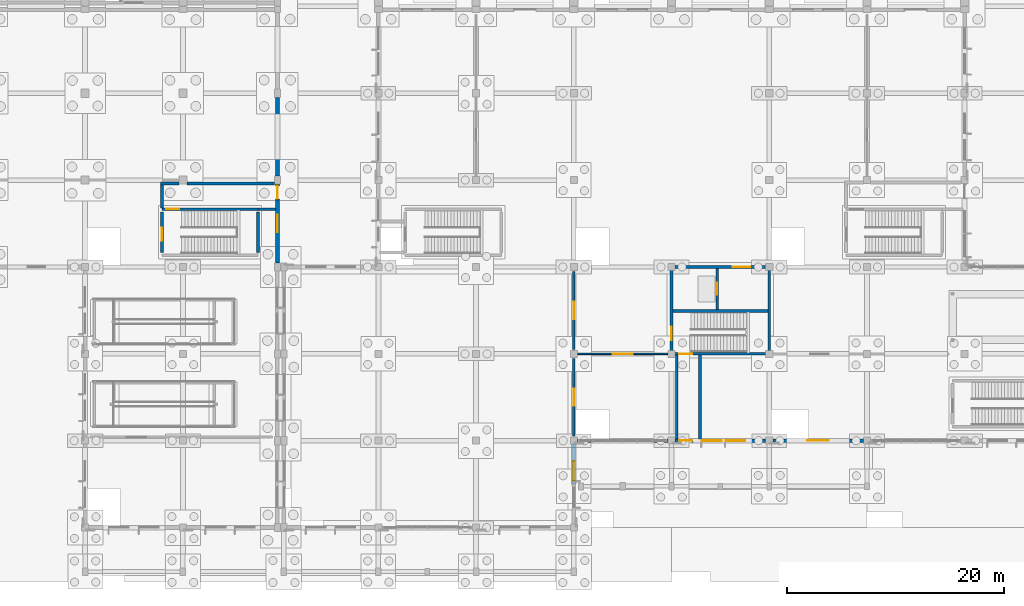
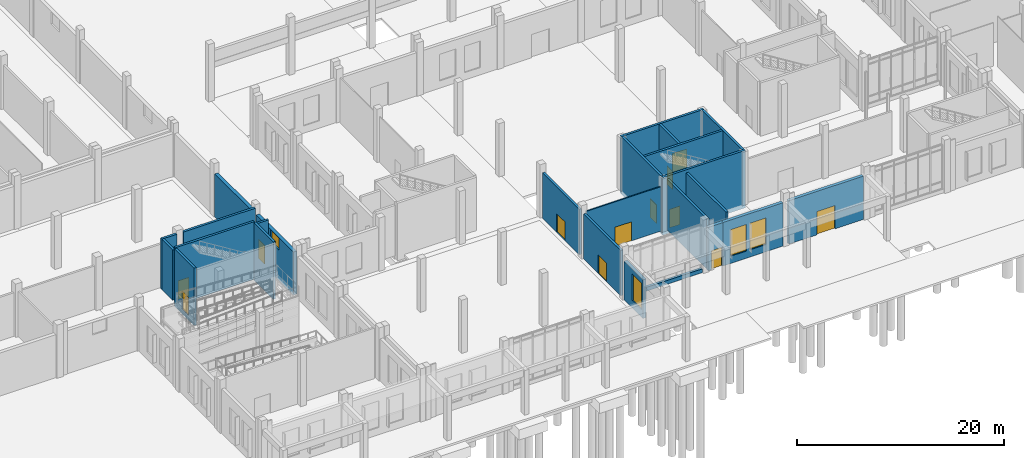
# One storey, part 58 of 99: 26 walls, 12 doors, 4 windows, 16 openings.
"""IFC4 building model written with IfcOpenShell, lengths in metres."""

import ifcopenshell
import ifcopenshell.guid

model = None  # the IFC model being written
_history = None  # IfcOwnerHistory: only IFC2X3 demands one
_inside = {}  # id of a spatial element -> (the spatial element, [elements in it])
_under = {}  # id of a project, library or spatial element -> (it, [spatial elements below it])
_declared = {}  # id of a project -> (the project, [libraries it declares])
_typed = {}  # id of a type object -> (the type object, [elements of that type])
_made_of = {}  # id of a material, layer set ... -> (it, [elements and type objects made of it])


def new_model(schema):
    """Start an empty IFC model of exactly this schema.

    Asked for "IFC4X3", IfcOpenShell would pick the latest addendum, in which some entities
    have other attributes; the version numbers below select the first issue.
    IFC2X3 requires an IfcOwnerHistory on every rooted entity: one is made here for all.
    """
    global model, _history
    if schema == "IFC4X3":
        model = ifcopenshell.file(schema_version=(4, 3, 0, 0))
    else:
        model = ifcopenshell.file(schema=schema)
    _inside.clear()
    _under.clear()
    _declared.clear()
    _typed.clear()
    _made_of.clear()
    _history = None
    if model.schema == "IFC2X3":
        org = make("IfcOrganization", Name="unknown")
        user = make(
            "IfcPersonAndOrganization",
            ThePerson=make("IfcPerson", FamilyName="unknown"),
            TheOrganization=org,
        )
        app = make(
            "IfcApplication",
            ApplicationDeveloper=org,
            Version="unknown",
            ApplicationFullName="unknown",
            ApplicationIdentifier="unknown",
        )
        _history = make(
            "IfcOwnerHistory",
            OwningUser=user,
            OwningApplication=app,
            ChangeAction="ADDED",
            CreationDate=0,
        )
    return model


def make(cls, **values):
    """One entity of the class cls with the attributes given. An attribute that is None is left unset."""
    return model.create_entity(
        cls, **{name: value for name, value in values.items() if value is not None}
    )


def rooted(cls, **values):
    """An entity with a GlobalId (a new one), such as an element, a storey or a relation."""
    return make(cls, GlobalId=ifcopenshell.guid.new(), OwnerHistory=_history, **values)


def si_unit(unit_type, name, prefix=None):
    """IfcSIUnit, for example si_unit("LENGTHUNIT", "METRE", prefix="MILLI")."""
    return make("IfcSIUnit", UnitType=unit_type, Prefix=prefix, Name=name)


def assignment(units):
    """IfcUnitAssignment: the units of a project."""
    return None if units is None else make("IfcUnitAssignment", Units=units)


def point(xyz):
    """IfcCartesianPoint."""
    return None if xyz is None else make("IfcCartesianPoint", Coordinates=xyz)


def direction(xyz):
    """IfcDirection."""
    return None if xyz is None else make("IfcDirection", DirectionRatios=xyz)


def frame(location, z_axis=None, x_axis=None):
    """IfcAxis2Placement3D, a coordinate frame: its origin and axes. An axis left out is left unset."""
    return make(
        "IfcAxis2Placement3D",
        Location=point(location),
        Axis=direction(z_axis),
        RefDirection=direction(x_axis),
    )


def frame_2d(location, x_axis=None):
    """IfcAxis2Placement2D, a coordinate frame in the plane: its origin and x axis."""
    return make(
        "IfcAxis2Placement2D", Location=point(location), RefDirection=direction(x_axis)
    )


def origin():
    """The frame at (0, 0, 0) with its axes left unset."""
    return frame((0.0, 0.0, 0.0))


def place(relative_to, where):
    """IfcLocalPlacement: puts the frame where relative to a parent placement (None: the world)."""
    return make(
        "IfcLocalPlacement", PlacementRelTo=relative_to, RelativePlacement=where
    )


def context(
    kind, dimensions, precision=None, world=None, true_north=None, identifier=None
):
    """IfcGeometricRepresentationContext, for example the 3D "Model" context."""
    return make(
        "IfcGeometricRepresentationContext",
        ContextIdentifier=identifier,
        ContextType=kind,
        CoordinateSpaceDimension=dimensions,
        Precision=precision,
        WorldCoordinateSystem=world,
        TrueNorth=true_north,
    )


def subcontext(parent, identifier, kind, view, scale=None):
    """IfcGeometricRepresentationSubContext, for example "Body" below "Model"."""
    return make(
        "IfcGeometricRepresentationSubContext",
        ContextIdentifier=identifier,
        ContextType=kind,
        ParentContext=parent,
        TargetScale=scale,
        TargetView=view,
    )


def project(units=None, contexts=None):
    """IfcProject with its units and contexts."""
    return rooted(
        "IfcProject",
        Name="project",
        RepresentationContexts=contexts,
        UnitsInContext=assignment(units),
    )


def spatial(cls, under=None, at=None, **own):
    """A site, building, storey or space (cls), placed at a placement, below another one or the project."""
    s = rooted(cls, ObjectPlacement=at, **own)
    if under is not None:
        _under.setdefault(under.id(), (under, []))[1].append(s)
    return s


def profile(cls, at=None, kind="AREA", **sizes):
    """A parametric profile (cls). Its sizes go by their IFC names, for example OverallWidth=200.0."""
    return make(cls, ProfileType=kind, Position=at, **sizes)


def rectangle(**sizes):
    """IfcRectangleProfileDef."""
    return profile("IfcRectangleProfileDef", **sizes)


def extrude(swept, where, along, depth):
    """IfcExtrudedAreaSolid: the profile swept, set in the frame where, extruded along a direction by depth."""
    return make(
        "IfcExtrudedAreaSolid",
        SweptArea=swept,
        Position=where,
        ExtrudedDirection=direction(along),
        Depth=depth,
    )


def shape(context_of_items, identifier, shape_type, items):
    """IfcShapeRepresentation: the items that make up one representation, for example the "Body"."""
    return make(
        "IfcShapeRepresentation",
        ContextOfItems=context_of_items,
        RepresentationIdentifier=identifier,
        RepresentationType=shape_type,
        Items=items,
    )


def material(Name=None, Category=None):
    """IfcMaterial."""
    return make("IfcMaterial", Name=Name, Category=Category)


def layer(
    of_material, thickness, ventilated=None, Name=None, Category=None, Priority=None
):
    """IfcMaterialLayer: one layer of a wall or slab, of a material (None: an air gap)."""
    return make(
        "IfcMaterialLayer",
        Material=of_material,
        LayerThickness=thickness,
        IsVentilated=ventilated,
        Name=Name,
        Category=Category,
        Priority=Priority,
    )


def layer_set(layers, Name=None):
    """IfcMaterialLayerSet."""
    return make("IfcMaterialLayerSet", MaterialLayers=layers, LayerSetName=Name)


def made_of(thing, what):
    """Note that an element or type object is made of a material, layer set ...; save() writes the relation."""
    if what is not None:
        _made_of.setdefault(what.id(), (what, []))[1].append(thing)
    return thing


def type_object(cls, material=None, **own):
    """A type object (cls), such as IfcWallType, which elements share."""
    return made_of(rooted(cls, **own), material)


def element(
    cls,
    number,
    at=None,
    inside=None,
    cuts=None,
    type_object=None,
    material=None,
    context=None,
    identifier="Body",
    shape_type=None,
    held_by="IfcProductDefinitionShape",
    body=None,
    shapes=None,
    **own,
):
    """One element of the class cls, such as IfcWall. Its Tag is "e" and its number.

    at: its placement. inside: the storey or other place that contains it. cuts: it is an
    opening in that element (IfcRelVoidsElement). A single representation is given by context,
    identifier, shape_type and body (its items); several are given by shapes. held_by: the class
    of the entity that holds the representations. save() writes the other relations.
    """
    e = rooted(cls, Tag="e%d" % number, ObjectPlacement=at, **own)
    if body is not None:
        shapes = [shape(context, identifier, shape_type, body)]
    if shapes is not None:
        e.Representation = make(held_by, Representations=shapes)
    if inside is not None:
        _inside.setdefault(inside.id(), (inside, []))[1].append(e)
    if cuts is not None:
        rooted(
            "IfcRelVoidsElement", RelatingBuildingElement=cuts, RelatedOpeningElement=e
        )
    if type_object is not None:
        _typed.setdefault(type_object.id(), (type_object, []))[1].append(e)
    return made_of(e, material)


def fill(opening, filler):
    """IfcRelFillsElement: the door or window that sits in an opening."""
    return rooted(
        "IfcRelFillsElement",
        RelatingOpeningElement=opening,
        RelatedBuildingElement=filler,
    )


def aggregate(whole, parts):
    """IfcRelAggregates: a whole, such as a stair, and the parts it consists of."""
    return rooted("IfcRelAggregates", RelatingObject=whole, RelatedObjects=parts)


def save(model, path):
    """Write the relations noted so far, then the file.

    IfcRelAggregates (storeys below a building ...), IfcRelContainedInSpatialStructure (elements
    in a storey), IfcRelDefinesByType, IfcRelAssociatesMaterial and IfcRelDeclares: one each for
    every whole, place, type object, material and project.
    """
    for whole, parts in _under.values():
        aggregate(whole, parts)
    for where, things in _inside.values():
        rooted(
            "IfcRelContainedInSpatialStructure",
            RelatedElements=things,
            RelatingStructure=where,
        )
    for kind, things in _typed.values():
        rooted("IfcRelDefinesByType", RelatedObjects=things, RelatingType=kind)
    for what, things in _made_of.values():
        rooted("IfcRelAssociatesMaterial", RelatedObjects=things, RelatingMaterial=what)
    for by, libraries in _declared.values():
        rooted("IfcRelDeclares", RelatingContext=by, RelatedDefinitions=libraries)
    model.write(path)


model = new_model("IFC4")

# Units and contexts
model_context = context("Model", 3, precision=1e-05, world=origin(), true_north=direction((0.0, 1.0)))
body_context = subcontext(model_context, "Body", "Model", "MODEL_VIEW")
ifc_project = project(units=[si_unit("LENGTHUNIT", "METRE"), si_unit("AREAUNIT", "SQUARE_METRE"), si_unit("VOLUMEUNIT", "CUBIC_METRE"), si_unit("PLANEANGLEUNIT", "RADIAN"), si_unit("MASSUNIT", "GRAM", prefix="KILO")], contexts=[model_context])

# Site, building, storey
site_placement = place(None, origin())
site = spatial("IfcSite", under=ifc_project, at=site_placement, CompositionType="ELEMENT")
building_placement = place(site_placement, origin())
building = spatial("IfcBuilding", under=site, at=building_placement, Name="Zacnel Wholesale Market", CompositionType="ELEMENT")
storey_placement = place(building_placement, origin())
storey = spatial("IfcBuildingStorey", under=building, at=storey_placement, Name="L01", CompositionType="ELEMENT", Elevation=0.0)

# Wall, opening, door
ifc_material_1 = material(Name="Concrete C40/50", Category="concrete")
ifc_layer_1 = layer(ifc_material_1, 0.2548828125)
ifc_layer_set_1 = layer_set([ifc_layer_1], Name="Concrete C40/50")
wall_type_1 = type_object("IfcWallType", Name="WL-COMP-FW250", PredefinedType="STANDARD", material=ifc_layer_set_1)
wall_1_placement = place(storey_placement, frame((99.0, 8.419921875, 0.0), z_axis=(0.0, 0.0, 1.0), x_axis=(0.0, 1.0, 0.0)))
wall_1 = element("IfcWall", 1, at=wall_1_placement, inside=storey, type_object=wall_type_1, Name="EI-120 fire compartment barrier wall 01", PredefinedType="STANDARD", context=body_context, shape_type="SweptSolid", body=[
    extrude(rectangle(XDim=7.16015625, YDim=0.2548828125, at=frame_2d((3.580078125, 0.0))), origin(), (0.0, 0.0, 1.0), 5.35009765625),
])
opening_1_placement = place(wall_1_placement, frame((2.780029296875, 0.0, 0.0)))
opening_1 = element("IfcOpeningElement", 2, at=opening_1_placement, cuts=wall_1, Name="Opening FD-02", PredefinedType="OPENING", context=body_context, shape_type="SweptSolid", body=[
    extrude(rectangle(XDim=1.60009765625, YDim=2.199951171875, at=frame_2d((0.800048828125, 1.10009765625))), frame((0.0, 0.137451171875, 0.0), z_axis=(0.0, -1.0, 0.0), x_axis=(1.0, 0.0, 0.0)), (0.0, 0.0, 1.0), 0.27490234375),
])
ifc_material_2 = material(Name="Galvanized steel", Category="steel")
door_type_1 = type_object("IfcDoorType", Name="DR-FIRE-LOBBY-1600", OperationType="NOTDEFINED", PredefinedType="DOOR", material=ifc_material_2)
door_1_placement = place(opening_1_placement, origin())
door_1 = element("IfcDoor", 3, at=door_1_placement, inside=storey, type_object=door_type_1, Name="Seafood hall compartment fire door 01", OperationType="DOUBLE_DOOR_SINGLE_SWING", OverallHeight=2.199951171875, OverallWidth=1.60009765625, PredefinedType="DOOR", context=body_context, shape_type="SweptSolid", body=[
    extrude(rectangle(XDim=1.60009765625, YDim=2.199951171875, at=frame_2d((0.800048828125, 1.10009765625))), frame((0.0, 0.02490234375, 0.0), z_axis=(0.0, -1.0, 0.0), x_axis=(1.0, 0.0, 0.0)), (0.0, 0.0, 1.0), 0.050048828125),
])
fill(opening_1, door_1)

wall_2_placement = place(storey_placement, frame((99.0, 16.419921875, 0.0), z_axis=(0.0, 0.0, 1.0), x_axis=(0.0, 1.0, 0.0)))
wall_2 = element("IfcWall", 4, at=wall_2_placement, inside=storey, type_object=wall_type_1, Name="EI-120 fire compartment barrier wall 02", PredefinedType="STANDARD", context=body_context, shape_type="SweptSolid", body=[
    extrude(rectangle(XDim=7.16015625, YDim=0.2548828125, at=frame_2d((3.580078125, 0.0))), origin(), (0.0, 0.0, 1.0), 5.35009765625),
])
opening_2_placement = place(wall_2_placement, frame((2.780029296875, 0.0, 0.0)))
opening_2 = element("IfcOpeningElement", 5, at=opening_2_placement, cuts=wall_2, Name="Opening FD-02", PredefinedType="OPENING", context=body_context, shape_type="SweptSolid", body=[
    extrude(rectangle(XDim=1.60009765625, YDim=2.199951171875, at=frame_2d((0.800048828125, 1.10009765625))), frame((0.0, 0.137451171875, 0.0), z_axis=(0.0, -1.0, 0.0), x_axis=(1.0, 0.0, 0.0)), (0.0, 0.0, 1.0), 0.27490234375),
])
door_2_placement = place(opening_2_placement, origin())
door_2 = element("IfcDoor", 6, at=door_2_placement, inside=storey, type_object=door_type_1, Name="Seafood hall compartment fire door 02", OperationType="DOUBLE_DOOR_SINGLE_SWING", OverallHeight=2.199951171875, OverallWidth=1.60009765625, PredefinedType="DOOR", context=body_context, shape_type="SweptSolid", body=[
    extrude(rectangle(XDim=1.60009765625, YDim=2.199951171875, at=frame_2d((0.800048828125, 1.10009765625))), frame((0.0, 0.02490234375, 0.0), z_axis=(0.0, -1.0, 0.0), x_axis=(1.0, 0.0, 0.0)), (0.0, 0.0, 1.0), 0.050048828125),
])
fill(opening_2, door_2)

# Walls
wall_3_placement = place(storey_placement, frame((61.072509765625, 29.449951171875, 0.0), z_axis=(0.0, 0.0, 1.0), x_axis=(0.0, 1.0, 0.0)))
element("IfcWall", 7, at=wall_3_placement, inside=storey, type_object=wall_type_1, Name="Exit passage ST-23 fire barrier wall 1", PredefinedType="STANDARD", context=body_context, shape_type="SweptSolid", body=[
    extrude(rectangle(XDim=2.10009765625, YDim=0.2548828125, at=frame_2d((1.050048828125, 0.0))), origin(), (0.0, 0.0, 1.0), 5.949951171875),
])
wall_4_placement = place(storey_placement, frame((69.925048828125, 29.322509765625, 0.0), z_axis=(0.0, 0.0, 1.0), x_axis=(1.0, 0.0, 0.0)))
element("IfcWall", 8, at=wall_4_placement, inside=storey, type_object=wall_type_1, Name="Exit passage ST-23 fire barrier wall 2", PredefinedType="STANDARD", context=body_context, shape_type="SweptSolid", body=[
    extrude(rectangle(XDim=1.5849609375, YDim=0.2548828125, at=frame_2d((0.79248046875, 0.0))), origin(), (0.0, 0.0, 1.0), 5.949951171875),
])
wall_5_placement = place(storey_placement, frame((60.945068359375, 31.677490234375, 0.0), z_axis=(0.0, 0.0, 1.0), x_axis=(1.0, 0.0, 0.0)))
element("IfcWall", 9, at=wall_5_placement, inside=storey, type_object=wall_type_1, Name="Exit passage ST-23 fire barrier wall 3", PredefinedType="STANDARD", context=body_context, shape_type="SweptSolid", body=[
    extrude(rectangle(XDim=1.679931640625, YDim=0.2548828125, at=frame_2d((0.83984375, 0.0))), origin(), (0.0, 0.0, 1.0), 5.949951171875),
])
wall_6_placement = place(storey_placement, frame((63.375, 31.677490234375, 0.0), z_axis=(0.0, 0.0, 1.0), x_axis=(1.0, 0.0, 0.0)))
element("IfcWall", 10, at=wall_6_placement, inside=storey, type_object=wall_type_1, Name="Exit passage ST-23 fire barrier wall 4", PredefinedType="STANDARD", context=body_context, shape_type="SweptSolid", body=[
    extrude(rectangle(XDim=8.050048828125, YDim=0.2548828125, at=frame_2d((4.02490234375, 0.0))), origin(), (0.0, 0.0, 1.0), 5.949951171875),
])
for number, where, z_axis, x_axis, name in (
    (11, (108.472412109375, 8.169921875, 0.0), (0.0, 0.0, 1.0), (0.0, 1.0, 0.0), "Exit passage C8 fire barrier wall 1"),
    (12, (110.62744140625, 8.169921875, 0.0), (0.0, 0.0, 1.0), (0.0, 1.0, 0.0), "Exit passage C8 fire barrier wall 2"),
):
    element("IfcWall", number, at=place(storey_placement, frame(where, z_axis=z_axis, x_axis=x_axis)), inside=storey, type_object=wall_type_1, Name=name, PredefinedType="STANDARD", context=body_context, shape_type="SweptSolid", body=[
        extrude(rectangle(XDim=7.705078125, YDim=0.2548828125, at=frame_2d((3.8525390625, 0.0))), origin(), (0.0, 0.0, 1.0), 5.949951171875),
    ])

# Wall, opening, door
ifc_material_3 = material(Name="Concrete C40/50", Category="concrete")
ifc_layer_2 = layer(ifc_material_3, 0.25)
ifc_layer_set_2 = layer_set([ifc_layer_2], Name="Concrete C40/50")
wall_type_2 = type_object("IfcWallType", Name="WL-CORE-SW250", PredefinedType="SOLIDWALL", material=ifc_layer_set_2)
wall_7_placement = place(storey_placement, frame((117.125, 16.0, -0.5), z_axis=(0.0, 0.0, 1.0), x_axis=(-1.0, 0.0, 0.0)))
wall_7 = element("IfcWall", 13, at=wall_7_placement, inside=storey, type_object=wall_type_2, Name="Core C8 south shear wall L01", PredefinedType="SOLIDWALL", context=body_context, shape_type="SweptSolid", body=[
    extrude(rectangle(XDim=9.25, YDim=0.25, at=frame_2d((4.625, 0.0))), origin(), (0.0, 0.0, 1.0), 6.800048828125),
])
opening_3_placement = place(wall_7_placement, frame((7.22509765625, 0.0, 0.5)))
opening_3 = element("IfcOpeningElement", 14, at=opening_3_placement, cuts=wall_7, Name="Opening FD-01", PredefinedType="OPENING", context=body_context, shape_type="SweptSolid", body=[
    extrude(rectangle(XDim=1.199951171875, YDim=2.199951171875, at=frame_2d((0.60009765625, 1.10009765625))), frame((0.0, 0.135009765625, 0.0), z_axis=(0.0, -1.0, 0.0), x_axis=(1.0, 0.0, 0.0)), (0.0, 0.0, 1.0), 0.27001953125),
])
ifc_material_4 = material(Name="Galvanized steel", Category="steel")
door_type_2 = type_object("IfcDoorType", Name="DR-FIRE-STAIR-1200", OperationType="NOTDEFINED", PredefinedType="DOOR", material=ifc_material_4)
door_3_placement = place(opening_3_placement, origin())
door_3 = element("IfcDoor", 15, at=door_3_placement, inside=storey, type_object=door_type_2, Name="Protected stair exit passage fire door C8 L01", OperationType="SINGLE_SWING_LEFT", OverallHeight=2.199951171875, OverallWidth=1.199951171875, PredefinedType="DOOR", context=body_context, shape_type="SweptSolid", body=[
    extrude(rectangle(XDim=1.199951171875, YDim=2.199951171875, at=frame_2d((0.60009765625, 1.10009765625))), frame((0.0, 0.02490234375, 0.0), z_axis=(0.0, -1.0, 0.0), x_axis=(1.0, 0.0, 0.0)), (0.0, 0.0, 1.0), 0.050048828125),
])
fill(opening_3, door_3)

wall_8_placement = place(storey_placement, frame((107.875, 24.0, -0.5), z_axis=(0.0, 0.0, 1.0), x_axis=(1.0, 0.0, 0.0)))
wall_8 = element("IfcWall", 16, at=wall_8_placement, inside=storey, type_object=wall_type_2, Name="Core C8 north shear wall L01", PredefinedType="SOLIDWALL", context=body_context, shape_type="SweptSolid", body=[
    extrude(rectangle(XDim=9.25, YDim=0.25, at=frame_2d((4.625, 0.0))), origin(), (0.0, 0.0, 1.0), 6.800048828125),
])
opening_4_placement = place(wall_8_placement, frame((5.77490234375, 0.0, 0.5)))
opening_4 = element("IfcOpeningElement", 17, at=opening_4_placement, cuts=wall_8, Name="Opening FD-02", PredefinedType="OPENING", context=body_context, shape_type="SweptSolid", body=[
    extrude(rectangle(XDim=1.60009765625, YDim=2.199951171875, at=frame_2d((0.800048828125, 1.10009765625))), frame((0.0, 0.135009765625, 0.0), z_axis=(0.0, -1.0, 0.0), x_axis=(1.0, 0.0, 0.0)), (0.0, 0.0, 1.0), 0.27001953125),
])
door_4_placement = place(opening_4_placement, origin())
door_4 = element("IfcDoor", 18, at=door_4_placement, inside=storey, type_object=door_type_1, Name="Core lift lobby fire door C8 L01", OperationType="SINGLE_SWING_RIGHT", OverallHeight=2.199951171875, OverallWidth=1.60009765625, PredefinedType="DOOR", context=body_context, shape_type="SweptSolid", body=[
    extrude(rectangle(XDim=1.60009765625, YDim=2.199951171875, at=frame_2d((0.800048828125, 1.10009765625))), frame((0.0, 0.02490234375, 0.0), z_axis=(0.0, -1.0, 0.0), x_axis=(1.0, 0.0, 0.0)), (0.0, 0.0, 1.0), 0.050048828125),
])
fill(opening_4, door_4)

wall_9_placement = place(storey_placement, frame((108.0, 16.125, -0.5), z_axis=(0.0, 0.0, 1.0), x_axis=(0.0, 1.0, 0.0)))
wall_9 = element("IfcWall", 19, at=wall_9_placement, inside=storey, type_object=wall_type_2, Name="Core C8 west shear wall L01", PredefinedType="SOLIDWALL", context=body_context, shape_type="SweptSolid", body=[
    extrude(rectangle(XDim=7.75, YDim=0.25, at=frame_2d((3.875, 0.0))), origin(), (0.0, 0.0, 1.0), 6.800048828125),
])
opening_5_placement = place(wall_9_placement, frame((1.14990234375, 0.0, 0.5)))
opening_5 = element("IfcOpeningElement", 20, at=opening_5_placement, cuts=wall_9, Name="Opening FD-01", PredefinedType="OPENING", context=body_context, shape_type="SweptSolid", body=[
    extrude(rectangle(XDim=1.199951171875, YDim=2.199951171875, at=frame_2d((0.60009765625, 1.10009765625))), frame((0.0, 0.135009765625, 0.0), z_axis=(0.0, -1.0, 0.0), x_axis=(1.0, 0.0, 0.0)), (0.0, 0.0, 1.0), 0.27001953125),
])
door_5_placement = place(opening_5_placement, origin())
door_5 = element("IfcDoor", 21, at=door_5_placement, inside=storey, type_object=door_type_2, Name="Protected stair fire door C8 L01", OperationType="SINGLE_SWING_LEFT", OverallHeight=2.199951171875, OverallWidth=1.199951171875, PredefinedType="DOOR", context=body_context, shape_type="SweptSolid", body=[
    extrude(rectangle(XDim=1.199951171875, YDim=2.199951171875, at=frame_2d((0.60009765625, 1.10009765625))), frame((0.0, 0.02490234375, 0.0), z_axis=(0.0, -1.0, 0.0), x_axis=(1.0, 0.0, 0.0)), (0.0, 0.0, 1.0), 0.050048828125),
])
fill(opening_5, door_5)

# Walls
wall_10_placement = place(storey_placement, frame((117.0, 16.125, -0.5), z_axis=(0.0, 0.0, 1.0), x_axis=(0.0, 1.0, 0.0)))
element("IfcWall", 22, at=wall_10_placement, inside=storey, type_object=wall_type_2, Name="Core C8 east shear wall L01", PredefinedType="SOLIDWALL", context=body_context, shape_type="SweptSolid", body=[
    extrude(rectangle(XDim=7.75, YDim=0.25, at=frame_2d((3.875, 0.0))), origin(), (0.0, 0.0, 1.0), 6.800048828125),
])
wall_11_placement = place(storey_placement, frame((108.125, 19.949951171875, -0.5), z_axis=(0.0, 0.0, 1.0), x_axis=(1.0, 0.0, 0.0)))
element("IfcWall", 23, at=wall_11_placement, inside=storey, type_object=wall_type_2, Name="Core C8 stair-shaft shear wall L01", PredefinedType="SOLIDWALL", context=body_context, shape_type="SweptSolid", body=[
    extrude(rectangle(XDim=8.75, YDim=0.25, at=frame_2d((4.375, 0.0))), origin(), (0.0, 0.0, 1.0), 6.800048828125),
])

# Wall, opening, door
wall_12_placement = place(storey_placement, frame((112.199951171875, 20.074951171875, -0.5), z_axis=(0.0, 0.0, 1.0), x_axis=(0.0, 1.0, 0.0)))
wall_12 = element("IfcWall", 24, at=wall_12_placement, inside=storey, type_object=wall_type_2, Name="Core C8 lift shaft front wall L01", PredefinedType="SOLIDWALL", context=body_context, shape_type="SweptSolid", body=[
    extrude(rectangle(XDim=3.800048828125, YDim=0.25, at=frame_2d((1.89990234375, 0.0))), origin(), (0.0, 0.0, 1.0), 6.800048828125),
])
opening_6_placement = place(wall_12_placement, frame((1.35009765625, 0.0, 0.5)))
opening_6 = element("IfcOpeningElement", 25, at=opening_6_placement, cuts=wall_12, Name="Opening LD-01", PredefinedType="OPENING", context=body_context, shape_type="SweptSolid", body=[
    extrude(rectangle(XDim=1.10009765625, YDim=2.199951171875, at=frame_2d((0.550048828125, 1.10009765625))), frame((0.0, 0.135009765625, 0.0), z_axis=(0.0, -1.0, 0.0), x_axis=(1.0, 0.0, 0.0)), (0.0, 0.0, 1.0), 0.27001953125),
])
ifc_material_5 = material(Name="Galvanized steel", Category="steel")
door_type_3 = type_object("IfcDoorType", Name="DR-LIFT-PASS-1100", OperationType="NOTDEFINED", PredefinedType="DOOR", material=ifc_material_5)
door_6_placement = place(opening_6_placement, origin())
door_6 = element("IfcDoor", 26, at=door_6_placement, inside=storey, type_object=door_type_3, Name="Lift landing door LP-04 L01", OperationType="SLIDING_TO_LEFT", OverallHeight=2.199951171875, OverallWidth=1.10009765625, PredefinedType="DOOR", context=body_context, shape_type="SweptSolid", body=[
    extrude(rectangle(XDim=1.10009765625, YDim=2.199951171875, at=frame_2d((0.550048828125, 1.10009765625))), frame((0.0, 0.02490234375, 0.0), z_axis=(0.0, -1.0, 0.0), x_axis=(1.0, 0.0, 0.0)), (0.0, 0.0, 1.0), 0.050048828125),
])
fill(opening_6, door_6)

wall_13_placement = place(storey_placement, frame((61.074951171875, 29.324951171875, -0.5), z_axis=(0.0, 0.0, 1.0), x_axis=(1.0, 0.0, 0.0)))
wall_13 = element("IfcWall", 27, at=wall_13_placement, inside=storey, type_object=wall_type_2, Name="Stair ST-23 north enclosure wall L01", PredefinedType="SOLIDWALL", context=body_context, shape_type="SweptSolid", body=[
    extrude(rectangle(XDim=8.85009765625, YDim=0.25, at=frame_2d((4.425048828125, 0.0))), origin(), (0.0, 0.0, 1.0), 6.800048828125),
])
opening_7_placement = place(wall_13_placement, frame((0.375, 0.0, 0.5)))
opening_7 = element("IfcOpeningElement", 28, at=opening_7_placement, cuts=wall_13, Name="Opening FD-01", PredefinedType="OPENING", context=body_context, shape_type="SweptSolid", body=[
    extrude(rectangle(XDim=1.199951171875, YDim=2.199951171875, at=frame_2d((0.60009765625, 1.10009765625))), frame((0.0, 0.135009765625, 0.0), z_axis=(0.0, -1.0, 0.0), x_axis=(1.0, 0.0, 0.0)), (0.0, 0.0, 1.0), 0.27001953125),
])
door_7_placement = place(opening_7_placement, origin())
door_7 = element("IfcDoor", 29, at=door_7_placement, inside=storey, type_object=door_type_2, Name="Stair ST-23 exit passage fire door L01", OperationType="SINGLE_SWING_LEFT", OverallHeight=2.199951171875, OverallWidth=1.199951171875, PredefinedType="DOOR", context=body_context, shape_type="SweptSolid", body=[
    extrude(rectangle(XDim=1.199951171875, YDim=2.199951171875, at=frame_2d((0.60009765625, 1.10009765625))), frame((0.0, 0.02490234375, 0.0), z_axis=(0.0, -1.0, 0.0), x_axis=(1.0, 0.0, 0.0)), (0.0, 0.0, 1.0), 0.050048828125),
])
fill(opening_7, door_7)

wall_14_placement = place(storey_placement, frame((61.074951171875, 25.324951171875, -0.5), z_axis=(0.0, 0.0, 1.0), x_axis=(0.0, 1.0, 0.0)))
wall_14 = element("IfcWall", 30, at=wall_14_placement, inside=storey, type_object=wall_type_2, Name="Stair ST-23 west enclosure wall L01", PredefinedType="SOLIDWALL", context=body_context, shape_type="SweptSolid", body=[
    extrude(rectangle(XDim=3.75, YDim=0.25, at=frame_2d((1.875, 0.0))), origin(), (0.0, 0.0, 1.0), 6.800048828125),
])
opening_8_placement = place(wall_14_placement, frame((1.10009765625, 0.0, 0.5)))
opening_8 = element("IfcOpeningElement", 31, at=opening_8_placement, cuts=wall_14, Name="Opening FD-01", PredefinedType="OPENING", context=body_context, shape_type="SweptSolid", body=[
    extrude(rectangle(XDim=1.199951171875, YDim=2.199951171875, at=frame_2d((0.60009765625, 1.10009765625))), frame((0.0, 0.135009765625, 0.0), z_axis=(0.0, -1.0, 0.0), x_axis=(1.0, 0.0, 0.0)), (0.0, 0.0, 1.0), 0.27001953125),
])
door_8_placement = place(opening_8_placement, origin())
door_8 = element("IfcDoor", 32, at=door_8_placement, inside=storey, type_object=door_type_2, Name="Stair ST-23 fire door L01", OperationType="SINGLE_SWING_LEFT", OverallHeight=2.199951171875, OverallWidth=1.199951171875, PredefinedType="DOOR", context=body_context, shape_type="SweptSolid", body=[
    extrude(rectangle(XDim=1.199951171875, YDim=2.199951171875, at=frame_2d((0.60009765625, 1.10009765625))), frame((0.0, 0.02490234375, 0.0), z_axis=(0.0, -1.0, 0.0), x_axis=(1.0, 0.0, 0.0)), (0.0, 0.0, 1.0), 0.050048828125),
])
fill(opening_8, door_8)

# Wall
wall_15_placement = place(storey_placement, frame((69.925048828125, 25.324951171875, -0.5), z_axis=(0.0, 0.0, 1.0), x_axis=(0.0, 1.0, 0.0)))
element("IfcWall", 33, at=wall_15_placement, inside=storey, type_object=wall_type_2, Name="Stair ST-23 east enclosure wall L01", PredefinedType="SOLIDWALL", context=body_context, shape_type="SweptSolid", body=[
    extrude(rectangle(XDim=3.75, YDim=0.25, at=frame_2d((1.875, 0.0))), origin(), (0.0, 0.0, 1.0), 6.800048828125),
])

# Wall, opening, window
ifc_material_6 = material(Name="Precast concrete C40/50 (insulated sandwich panel)", Category="concrete")
ifc_layer_3 = layer(ifc_material_6, 0.3798828125)
ifc_layer_set_3 = layer_set([ifc_layer_3], Name="Precast concrete C40/50 (insulated sandwich panel)")
wall_type_3 = type_object("IfcWallType", Name="WL-EXT-COLD-380", PredefinedType="SOLIDWALL", material=ifc_layer_set_3)
wall_16_placement = place(storey_placement, frame((71.699951171875, 24.375, 0.0), z_axis=(0.0, 0.0, 1.0), x_axis=(0.0, 1.0, 0.0)))
wall_16 = element("IfcWall", 34, at=wall_16_placement, inside=storey, type_object=wall_type_3, Name="Exterior wall L01-0032", PredefinedType="SOLIDWALL", context=body_context, shape_type="SweptSolid", body=[
    extrude(rectangle(XDim=5.800048828125, YDim=0.3798828125, at=frame_2d((2.89990234375, 0.0))), origin(), (0.0, 0.0, 1.0), 5.080078125),
])
opening_9_placement = place(wall_16_placement, frame((2.824951171875, 0.0, 3.590087890625)))
opening_9 = element("IfcOpeningElement", 35, at=opening_9_placement, cuts=wall_16, Name="Opening W-06", PredefinedType="OPENING", context=body_context, shape_type="SweptSolid", body=[
    extrude(rectangle(XDim=1.60009765625, YDim=1.449951171875, at=frame_2d((0.800048828125, 0.72509765625))), frame((0.0, 0.199951171875, 0.0), z_axis=(0.0, -1.0, 0.0), x_axis=(1.0, 0.0, 0.0)), (0.0, 0.0, 1.0), 0.39990234375),
])
ifc_material_7 = material(Name="Laminated hurricane-impact low-E insulated glass", Category="glass")
window_type_1 = type_object("IfcWindowType", Name="WIN-HIG-1600X1450", PartitioningType="DOUBLE_PANEL_HORIZONTAL", PredefinedType="WINDOW", material=ifc_material_7)
window_1_placement = place(opening_9_placement, origin())
window_1 = element("IfcWindow", 36, at=window_1_placement, inside=storey, type_object=window_type_1, Name="Window L01-0021", OverallHeight=1.449951171875, OverallWidth=1.60009765625, PartitioningType="DOUBLE_PANEL_HORIZONTAL", PredefinedType="WINDOW", context=body_context, shape_type="SweptSolid", body=[
    extrude(rectangle(XDim=1.60009765625, YDim=1.449951171875, at=frame_2d((0.800048828125, 0.72509765625))), frame((0.0, 0.030029296875, 0.0), z_axis=(0.0, -1.0, 0.0), x_axis=(1.0, 0.0, 0.0)), (0.0, 0.0, 1.0), 0.06005859375),
])
fill(opening_9, window_1)

# Wall
wall_17_placement = place(storey_placement, frame((71.699951171875, 32.375, 0.0), z_axis=(0.0, 0.0, 1.0), x_axis=(0.0, 1.0, 0.0)))
element("IfcWall", 37, at=wall_17_placement, inside=storey, type_object=wall_type_3, Name="Exterior wall L01-0033", PredefinedType="SOLIDWALL", context=body_context, shape_type="SweptSolid", body=[
    extrude(rectangle(XDim=7.25, YDim=0.3798828125, at=frame_2d((3.625, 0.0))), origin(), (0.0, 0.0, 1.0), 5.080078125),
])

# Wall, opening, door
wall_18_placement = place(storey_placement, frame((71.699951171875, 31.625, 0.0), z_axis=(0.0, 0.0, 1.0), x_axis=(0.0, -1.0, 0.0)))
wall_18 = element("IfcWall", 38, at=wall_18_placement, inside=storey, type_object=wall_type_3, Name="Exterior wall L01-0032 part 2", PredefinedType="SOLIDWALL", context=body_context, shape_type="SweptSolid", body=[
    extrude(rectangle(XDim=1.449951171875, YDim=0.3798828125, at=frame_2d((0.72509765625, 0.0))), origin(), (0.0, 0.0, 1.0), 5.080078125),
])
opening_10_placement = place(wall_18_placement, frame((0.14990234375, 0.0, 0.0)))
opening_10 = element("IfcOpeningElement", 39, at=opening_10_placement, cuts=wall_18, Name="Opening ED-04", PredefinedType="OPENING", context=body_context, shape_type="SweptSolid", body=[
    extrude(rectangle(XDim=1.199951171875, YDim=2.25, at=frame_2d((0.60009765625, 1.125))), frame((0.0, 0.199951171875, 0.0), z_axis=(0.0, -1.0, 0.0), x_axis=(1.0, 0.0, 0.0)), (0.0, 0.0, 1.0), 0.39990234375),
])
ifc_material_8 = material(Name="Galvanized steel S355", Category="steel")
door_type_4 = type_object("IfcDoorType", Name="DR-EXT-EXIT-1200", OperationType="NOTDEFINED", PredefinedType="DOOR", material=ifc_material_8)
door_9_placement = place(opening_10_placement, origin())
door_9 = element("IfcDoor", 40, at=door_9_placement, inside=storey, type_object=door_type_4, Name="Final exit door ST-23 to the east", OperationType="SINGLE_SWING_LEFT", OverallHeight=2.25, OverallWidth=1.199951171875, PredefinedType="DOOR", context=body_context, shape_type="SweptSolid", body=[
    extrude(rectangle(XDim=1.199951171875, YDim=2.25, at=frame_2d((0.60009765625, 1.125))), frame((0.0, 0.02490234375, 0.0), z_axis=(0.0, -1.0, 0.0), x_axis=(1.0, 0.0, 0.0)), (0.0, 0.0, 1.0), 0.050048828125),
])
fill(opening_10, door_9)

# Wall
ifc_material_9 = material(Name="Precast concrete C40/50 (Cancun limestone aggregate)", Category="masonry")
ifc_layer_4 = layer(ifc_material_9, 0.300048828125)
ifc_layer_set_4 = layer_set([ifc_layer_4], Name="Precast concrete C40/50 (Cancun limestone aggregate)")
wall_type_4 = type_object("IfcWallType", Name="WL-EXT-LIME-300", PredefinedType="SOLIDWALL", material=ifc_layer_set_4)
wall_19_placement = place(storey_placement, frame((99.324951171875, 8.0, 0.0), z_axis=(0.0, 0.0, 1.0), x_axis=(1.0, 0.0, 0.0)))
element("IfcWall", 41, at=wall_19_placement, inside=storey, type_object=wall_type_4, Name="Curtain-wall limestone plinth L01-0002", PredefinedType="SOLIDWALL", context=body_context, shape_type="SweptSolid", body=[
    extrude(rectangle(XDim=8.35009765625, YDim=0.300048828125, at=frame_2d((4.175048828125, 0.0))), origin(), (0.0, 0.0, 1.0), 0.449951171875),
])

# Wall, opening, door
ifc_material_10 = material(Name="Precast concrete C40/50 (Cancun limestone aggregate)", Category="masonry")
ifc_layer_5 = layer(ifc_material_10, 0.340087890625)
ifc_layer_set_5 = layer_set([ifc_layer_5], Name="Precast concrete C40/50 (Cancun limestone aggregate)")
wall_type_5 = type_object("IfcWallType", Name="WL-EXT-LIME-340", PredefinedType="SOLIDWALL", material=ifc_layer_set_5)
wall_20_placement = place(storey_placement, frame((110.0, 8.0, 0.0), z_axis=(0.0, 0.0, 1.0), x_axis=(-1.0, 0.0, 0.0)))
wall_20 = element("IfcWall", 42, at=wall_20_placement, inside=storey, type_object=wall_type_5, Name="Exterior wall L01-0083", PredefinedType="SOLIDWALL", context=body_context, shape_type="SweptSolid", body=[
    extrude(rectangle(XDim=1.675048828125, YDim=0.340087890625, at=frame_2d((0.83740234375, 0.0))), origin(), (0.0, 0.0, 1.0), 5.1298828125),
])
opening_11_placement = place(wall_20_placement, frame((0.10009765625, 0.0, 0.0)))
opening_11 = element("IfcOpeningElement", 43, at=opening_11_placement, cuts=wall_20, Name="Opening ED-04", PredefinedType="OPENING", context=body_context, shape_type="SweptSolid", body=[
    extrude(rectangle(XDim=1.199951171875, YDim=2.25, at=frame_2d((0.60009765625, 1.125))), frame((0.0, 0.179931640625, 0.0), z_axis=(0.0, -1.0, 0.0), x_axis=(1.0, 0.0, 0.0)), (0.0, 0.0, 1.0), 0.360107421875),
])
door_10_placement = place(opening_11_placement, origin())
door_10 = element("IfcDoor", 44, at=door_10_placement, inside=storey, type_object=door_type_4, Name="Final exit door C8 to the south", OperationType="SINGLE_SWING_LEFT", OverallHeight=2.25, OverallWidth=1.199951171875, PredefinedType="DOOR", context=body_context, shape_type="SweptSolid", body=[
    extrude(rectangle(XDim=1.199951171875, YDim=2.25, at=frame_2d((0.60009765625, 1.125))), frame((0.0, 0.02490234375, 0.0), z_axis=(0.0, -1.0, 0.0), x_axis=(1.0, 0.0, 0.0)), (0.0, 0.0, 1.0), 0.050048828125),
])
fill(opening_11, door_10)

wall_21_placement = place(storey_placement, frame((117.324951171875, 8.0, 0.0), z_axis=(0.0, 0.0, 1.0), x_axis=(1.0, 0.0, 0.0)))
wall_21 = element("IfcWall", 45, at=wall_21_placement, inside=storey, type_object=wall_type_5, Name="Exterior wall L01-0084", PredefinedType="SOLIDWALL", context=body_context, shape_type="SweptSolid", body=[
    extrude(rectangle(XDim=8.35009765625, YDim=0.340087890625, at=frame_2d((4.175048828125, 0.0))), origin(), (0.0, 0.0, 1.0), 5.1298828125),
])
opening_12_placement = place(wall_21_placement, frame((3.175048828125, 0.0, 0.0)))
opening_12 = element("IfcOpeningElement", 46, at=opening_12_placement, cuts=wall_21, Name="Opening ED-02", PredefinedType="OPENING", context=body_context, shape_type="SweptSolid", body=[
    extrude(rectangle(XDim=2.0, YDim=2.75, at=frame_2d((1.0, 1.375))), frame((0.0, 0.179931640625, 0.0), z_axis=(0.0, -1.0, 0.0), x_axis=(1.0, 0.0, 0.0)), (0.0, 0.0, 1.0), 0.360107421875),
])
ifc_material_11 = material(Name="Anodised aluminium", Category="aluminium")
door_type_5 = type_object("IfcDoorType", Name="DR-EXT-PORTAL-2000", OperationType="NOTDEFINED", PredefinedType="DOOR", material=ifc_material_11)
door_11_placement = place(opening_12_placement, origin())
door_11 = element("IfcDoor", 47, at=door_11_placement, inside=storey, type_object=door_type_5, Name="Flower forecourt entrance 022", OperationType="DOUBLE_DOOR_SINGLE_SWING", OverallHeight=2.75, OverallWidth=2.0, PredefinedType="DOOR", context=body_context, shape_type="SweptSolid", body=[
    extrude(rectangle(XDim=2.0, YDim=2.75, at=frame_2d((1.0, 1.375))), frame((0.0, 0.02490234375, 0.0), z_axis=(0.0, -1.0, 0.0), x_axis=(1.0, 0.0, 0.0)), (0.0, 0.0, 1.0), 0.050048828125),
])
fill(opening_12, door_11)

# Wall, openings, windows
wall_22_placement = place(storey_placement, frame((110.0, 8.0, 0.0), z_axis=(0.0, 0.0, 1.0), x_axis=(1.0, 0.0, 0.0)))
wall_22 = element("IfcWall", 48, at=wall_22_placement, inside=storey, type_object=wall_type_5, Name="Exterior wall L01-0083 part 2", PredefinedType="SOLIDWALL", context=body_context, shape_type="SweptSolid", body=[
    extrude(rectangle(XDim=6.675048828125, YDim=0.340087890625, at=frame_2d((3.33740234375, 0.0))), origin(), (0.0, 0.0, 1.0), 5.1298828125),
])
opening_13_placement = place(wall_22_placement, frame((0.804931640625, 0.0, 0.85009765625)))
opening_13 = element("IfcOpeningElement", 49, at=opening_13_placement, cuts=wall_22, Name="Opening W-03", PredefinedType="OPENING", context=body_context, shape_type="SweptSolid", body=[
    extrude(rectangle(XDim=1.800048828125, YDim=3.14990234375, at=frame_2d((0.89990234375, 1.574951171875))), frame((0.0, 0.179931640625, 0.0), z_axis=(0.0, -1.0, 0.0), x_axis=(1.0, 0.0, 0.0)), (0.0, 0.0, 1.0), 0.360107421875),
])
opening_14_placement = place(wall_22_placement, frame((2.991943359375, 0.0, 0.85009765625)))
opening_14 = element("IfcOpeningElement", 50, at=opening_14_placement, cuts=wall_22, Name="Opening W-03", PredefinedType="OPENING", context=body_context, shape_type="SweptSolid", body=[
    extrude(rectangle(XDim=1.800048828125, YDim=3.14990234375, at=frame_2d((0.89990234375, 1.574951171875))), frame((0.0, 0.179931640625, 0.0), z_axis=(0.0, -1.0, 0.0), x_axis=(1.0, 0.0, 0.0)), (0.0, 0.0, 1.0), 0.360107421875),
])
ifc_material_12 = material(Name="Laminated hurricane-impact low-E insulated glass", Category="glass")
window_type_2 = type_object("IfcWindowType", Name="WIN-DEC-1800X3150", PartitioningType="DOUBLE_PANEL_VERTICAL", PredefinedType="WINDOW", material=ifc_material_12)
window_2_placement = place(opening_13_placement, origin())
window_2 = element("IfcWindow", 51, at=window_2_placement, inside=storey, type_object=window_type_2, Name="Window L01-0064", OverallHeight=3.14990234375, OverallWidth=1.800048828125, PartitioningType="DOUBLE_PANEL_VERTICAL", PredefinedType="WINDOW", context=body_context, shape_type="SweptSolid", body=[
    extrude(rectangle(XDim=1.800048828125, YDim=3.14990234375, at=frame_2d((0.89990234375, 1.574951171875))), frame((0.0, 0.030029296875, 0.0), z_axis=(0.0, -1.0, 0.0), x_axis=(1.0, 0.0, 0.0)), (0.0, 0.0, 1.0), 0.06005859375),
])
fill(opening_13, window_2)
window_3_placement = place(opening_14_placement, origin())
window_3 = element("IfcWindow", 52, at=window_3_placement, inside=storey, type_object=window_type_2, Name="Window L01-0065", OverallHeight=3.14990234375, OverallWidth=1.800048828125, PartitioningType="DOUBLE_PANEL_VERTICAL", PredefinedType="WINDOW", context=body_context, shape_type="SweptSolid", body=[
    extrude(rectangle(XDim=1.800048828125, YDim=3.14990234375, at=frame_2d((0.89990234375, 1.574951171875))), frame((0.0, 0.030029296875, 0.0), z_axis=(0.0, -1.0, 0.0), x_axis=(1.0, 0.0, 0.0)), (0.0, 0.0, 1.0), 0.06005859375),
])
fill(opening_14, window_3)

# Wall, opening, window
wall_23_placement = place(storey_placement, frame((99.0, 4.02001953125, 0.0), z_axis=(0.0, 0.0, 1.0), x_axis=(0.0, 1.0, 0.0)))
wall_23 = element("IfcWall", 53, at=wall_23_placement, inside=storey, type_object=wall_type_5, Name="Exterior wall L01-0082 part 2", PredefinedType="SOLIDWALL", context=body_context, shape_type="SweptSolid", body=[
    extrude(rectangle(XDim=3.655029296875, YDim=0.340087890625, at=frame_2d((1.82763671875, 0.0))), origin(), (0.0, 0.0, 1.0), 4.574951171875),
])
opening_15_placement = place(wall_23_placement, frame((0.304931640625, 0.0, 0.85009765625)))
opening_15 = element("IfcOpeningElement", 54, at=opening_15_placement, cuts=wall_23, Name="Opening W-03", PredefinedType="OPENING", context=body_context, shape_type="SweptSolid", body=[
    extrude(rectangle(XDim=1.800048828125, YDim=3.14990234375, at=frame_2d((0.89990234375, 1.574951171875))), frame((0.0, 0.179931640625, 0.0), z_axis=(0.0, -1.0, 0.0), x_axis=(1.0, 0.0, 0.0)), (0.0, 0.0, 1.0), 0.360107421875),
])
window_4_placement = place(opening_15_placement, origin())
window_4 = element("IfcWindow", 55, at=window_4_placement, inside=storey, type_object=window_type_2, Name="Window L01-0063", OverallHeight=3.14990234375, OverallWidth=1.800048828125, PartitioningType="DOUBLE_PANEL_VERTICAL", PredefinedType="WINDOW", context=body_context, shape_type="SweptSolid", body=[
    extrude(rectangle(XDim=1.800048828125, YDim=3.14990234375, at=frame_2d((0.89990234375, 1.574951171875))), frame((0.0, 0.030029296875, 0.0), z_axis=(0.0, -1.0, 0.0), x_axis=(1.0, 0.0, 0.0)), (0.0, 0.0, 1.0), 0.06005859375),
])
fill(opening_15, window_4)

# Wall, opening, door
ifc_material_13 = material(Name="Moisture-resistant gypsum board partition")
ifc_layer_6 = layer(ifc_material_13, 0.139892578125)
ifc_layer_set_6 = layer_set([ifc_layer_6], Name="Moisture-resistant gypsum board partition")
wall_type_6 = type_object("IfcWallType", Name="WL-PART-GYP140", PredefinedType="PARTITIONING", material=ifc_layer_set_6)
wall_24_placement = place(storey_placement, frame((99.35009765625, 16.0, 0.0), z_axis=(0.0, 0.0, 1.0), x_axis=(1.0, 0.0, 0.0)))
wall_24 = element("IfcWall", 56, at=wall_24_placement, inside=storey, type_object=wall_type_6, Name="Interior partition L01-0025", PredefinedType="PARTITIONING", context=body_context, shape_type="SweptSolid", body=[
    extrude(rectangle(XDim=8.349853515625, YDim=0.139892578125, at=frame_2d((4.1748046875, 0.0))), origin(), (0.0, 0.0, 1.0), 5.25),
])
opening_16_placement = place(wall_24_placement, frame((3.25, 0.0, 0.0)))
opening_16 = element("IfcOpeningElement", 57, at=opening_16_placement, cuts=wall_24, Name="Opening ID-01", PredefinedType="OPENING", context=body_context, shape_type="SweptSolid", body=[
    extrude(rectangle(XDim=1.85009765625, YDim=2.25, at=frame_2d((0.925048828125, 1.125))), frame((0.0, 0.079833984375, 0.0), z_axis=(0.0, -1.0, 0.0), x_axis=(1.0, 0.0, 0.0)), (0.0, 0.0, 1.0), 0.159912109375),
])
ifc_material_14 = material(Name="Solid-core tropical hardwood door", Category="wood")
door_type_6 = type_object("IfcDoorType", Name="DR-HALL-DBL-1850", OperationType="NOTDEFINED", PredefinedType="DOOR", material=ifc_material_14)
door_12_placement = place(opening_16_placement, origin())
door_12 = element("IfcDoor", 58, at=door_12_placement, inside=storey, type_object=door_type_6, Name="Interior door L01-0021", OperationType="DOUBLE_DOOR_SINGLE_SWING", OverallHeight=2.25, OverallWidth=1.85009765625, PredefinedType="DOOR", context=body_context, shape_type="SweptSolid", body=[
    extrude(rectangle(XDim=1.85009765625, YDim=2.25, at=frame_2d((0.925048828125, 1.125))), frame((0.0, 0.02490234375, 0.0), z_axis=(0.0, -1.0, 0.0), x_axis=(1.0, 0.0, 0.0)), (0.0, 0.0, 1.0), 0.050048828125),
])
fill(opening_16, door_12)

save(model, "model.ifc")
